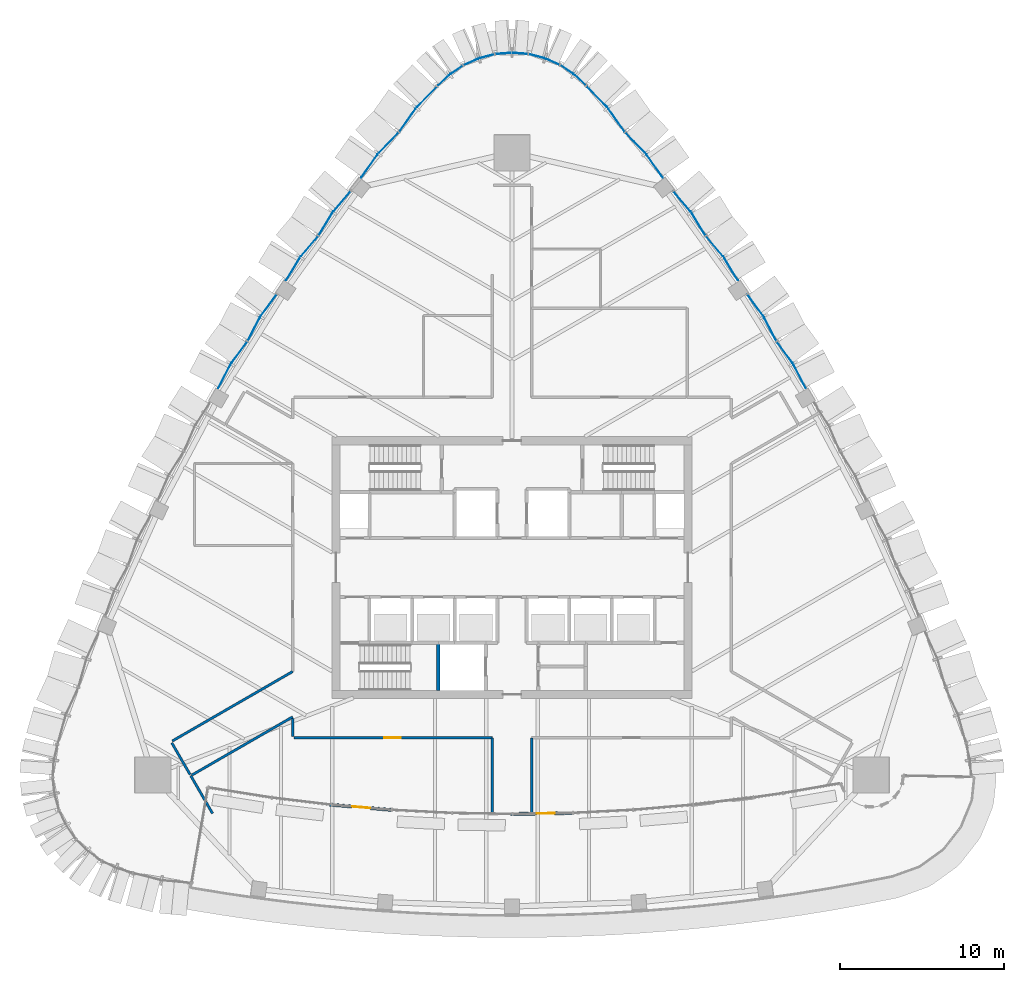
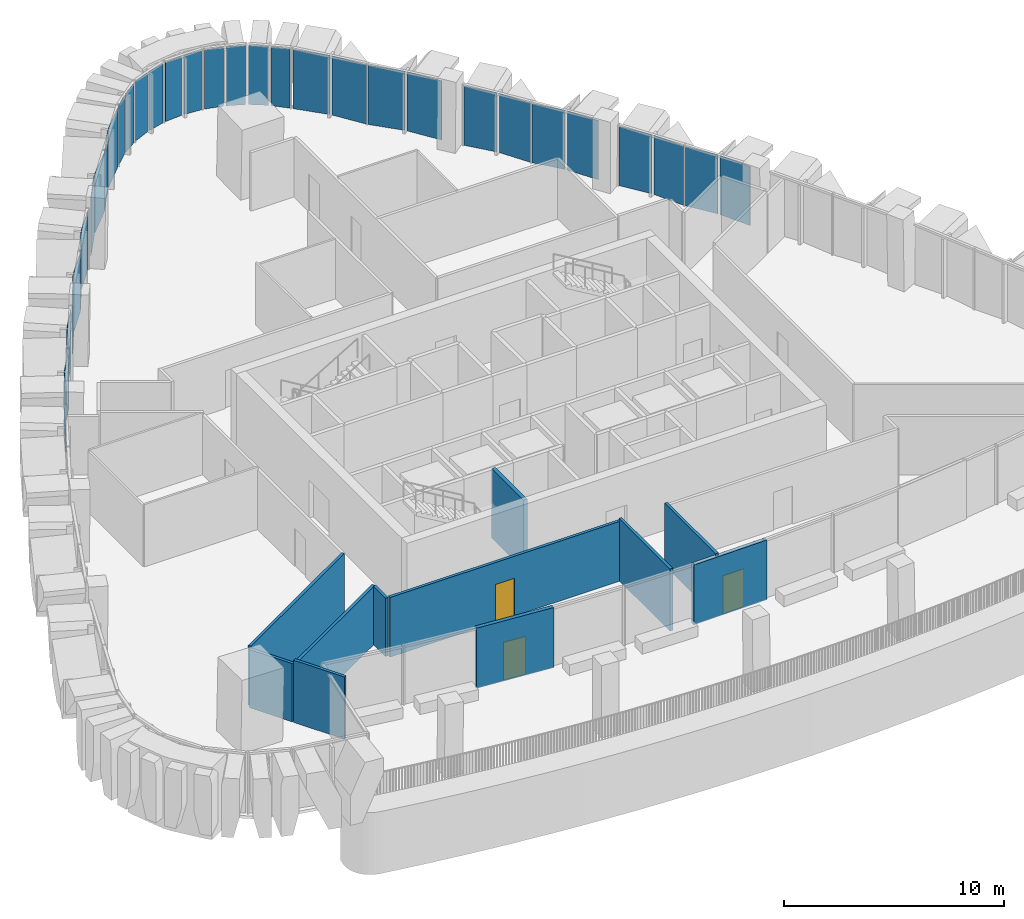
# One storey, part 12 of 22: 34 plates, 11 walls, 3 doors, 3 openings, 11 elements without a shape of their own.
"""IFC4 building model written with IfcOpenShell, lengths in metres."""

from ifc_helpers import new_model, si_unit, direction, frame, frame_2d, origin, place, context, subcontext, project, spatial, polyline, rectangle, outline, extrude, material, layer, layer_set, type_object, element, fill, aggregate, save


model = new_model("IFC4")

# Units and contexts
model_context = context("Model", 3, precision=1e-05, world=origin(), true_north=direction((0.0, 1.0)))
body_context = subcontext(model_context, "Body", "Model", "MODEL_VIEW")
ifc_project = project(units=[si_unit("LENGTHUNIT", "METRE"), si_unit("AREAUNIT", "SQUARE_METRE"), si_unit("VOLUMEUNIT", "CUBIC_METRE"), si_unit("PLANEANGLEUNIT", "RADIAN"), si_unit("MASSUNIT", "GRAM", prefix="KILO")], contexts=[model_context])

# Site, building, storey
site_placement = place(None, origin())
site = spatial("IfcSite", under=ifc_project, at=site_placement, CompositionType="ELEMENT")
building_placement = place(site_placement, origin())
building = spatial("IfcBuilding", under=site, at=building_placement, Name="Sierra Prisma Convention Tower", CompositionType="ELEMENT")
storey_placement = place(building_placement, frame((0.0, 0.0, 243.0)))
storey = spatial("IfcBuildingStorey", under=building, at=storey_placement, Name="L54", CompositionType="ELEMENT", Elevation=243.0)

# Curtain wall, plates
ifc_material_1 = material(Name="Aluminium and glass curtain wall", Category="aluminium")
ifc_layer_1 = layer(ifc_material_1, 0.179931640625)
ifc_layer_set_1 = layer_set([ifc_layer_1], Name="CW-2 Faceted crystal curtain wall")
curtain_wall_type = type_object("IfcCurtainWallType", Name="CW-2 Faceted crystal curtain wall", PredefinedType="NOTDEFINED", material=ifc_layer_set_1)
curtain_wall_1_placement = place(storey_placement, origin())
curtain_wall_1 = element("IfcCurtainWall", 1, at=curtain_wall_1_placement, inside=storey, type_object=curtain_wall_type, Name="CW-2 NE4 L54", PredefinedType="NOTDEFINED")
ifc_material_2 = material(Name="Tinted glass bronze-grey IGU", Category="glass")
ifc_layer_2 = layer(ifc_material_2, 0.028076171875)
ifc_layer_set_2 = layer_set([ifc_layer_2], Name="CW-2 crystal pane")
plate_type = type_object("IfcPlateType", Name="CW-2 crystal pane", PredefinedType="CURTAIN_PANEL", material=ifc_layer_set_2)
plate_1_placement = place(storey_placement, frame((17.95947265625, 10.968994140625, 0.0), z_axis=(0.887358586139, 0.461079970944, 0.0), x_axis=(-0.461079970944, 0.887358586139, 0.0)))
plate_1 = element("IfcPlate", 2, at=plate_1_placement, type_object=plate_type, Name="CW-2 pane NE4.1.1", PredefinedType="CURTAIN_PANEL", context=body_context, shape_type="SweptSolid", body=[
    extrude(outline(polyline([(0.0, 0.0), (1.6064949746847286, 0.0), (1.6064949746847286, 3.280029296875), (0.0, 3.280029296875), (0.0, 0.0)])), origin(), (0.0, 0.0, -1.0), 0.028076171875),
])
plate_2_placement = place(storey_placement, frame((16.19580078125, 13.796630859375, 0.0), z_axis=(0.804283518348, 0.594245759021, 0.0), x_axis=(0.594245759021, -0.804283518348, 0.0)))
plate_2 = element("IfcPlate", 3, at=plate_2_placement, type_object=plate_type, Name="CW-2 pane NE4.1.2", PredefinedType="CURTAIN_PANEL", context=body_context, shape_type="SweptSolid", body=[
    extrude(outline(polyline([(0.0, 0.0), (1.6063889884930378, 0.0), (1.6063889884930378, -3.280029296875), (0.0, -3.280029296875), (0.0, 0.0)])), origin(), (0.0, 0.0, -1.0), 0.028076171875),
])
plate_3_placement = place(storey_placement, frame((16.15869140625, 13.85595703125, 0.0), z_axis=(0.887358586139, 0.461079970944, 0.0), x_axis=(-0.461079970944, 0.887358586139, 0.0)))
plate_3 = element("IfcPlate", 4, at=plate_3_placement, type_object=plate_type, Name="CW-2 pane NE4.2.1", PredefinedType="CURTAIN_PANEL", context=body_context, shape_type="SweptSolid", body=[
    extrude(outline(polyline([(0.0, 0.0), (1.6064949746847286, 0.0), (1.6064949746847286, 3.280029296875), (0.0, 3.280029296875), (0.0, 0.0)])), origin(), (0.0, 0.0, -1.0), 0.028076171875),
])
plate_4_placement = place(storey_placement, frame((14.394775390625, 16.68359375, 0.0), z_axis=(0.804283518348, 0.594245759021, 0.0), x_axis=(0.594245759021, -0.804283518348, 0.0)))
plate_4 = element("IfcPlate", 5, at=plate_4_placement, type_object=plate_type, Name="CW-2 pane NE4.2.2", PredefinedType="CURTAIN_PANEL", context=body_context, shape_type="SweptSolid", body=[
    extrude(outline(polyline([(0.0, 0.0), (1.6063889884930378, 0.0), (1.6063889884930378, -3.280029296875), (0.0, -3.280029296875), (0.0, 0.0)])), origin(), (0.0, 0.0, -1.0), 0.028076171875),
])
aggregate(curtain_wall_1, [plate_1, plate_2, plate_3, plate_4])

curtain_wall_2_placement = place(storey_placement, origin())
curtain_wall_2 = element("IfcCurtainWall", 6, at=curtain_wall_2_placement, inside=storey, type_object=curtain_wall_type, Name="CW-2 NE5 L54", PredefinedType="NOTDEFINED")
plate_5_placement = place(storey_placement, frame((13.80859375, 17.556396484375, 0.0), z_axis=(0.853806109125, 0.520591133251, 0.0), x_axis=(-0.520591133251, 0.853806109125, 0.0)))
plate_5 = element("IfcPlate", 7, at=plate_5_placement, type_object=plate_type, Name="CW-2 pane NE5.1.1", PredefinedType="CURTAIN_PANEL", context=body_context, shape_type="SweptSolid", body=[
    extrude(outline(polyline([(0.0, 0.0), (1.5987121897887417, 0.0), (1.5987121897887417, 3.280029296875), (0.0, 3.280029296875), (0.0, 0.0)])), origin(), (0.0, 0.0, -1.0), 0.028076171875),
])
plate_6_placement = place(storey_placement, frame((11.86474609375, 20.24462890625, 0.0), z_axis=(0.761901643656, 0.647692739958, 0.0), x_axis=(0.647692739958, -0.761901643656, 0.0)))
plate_6 = element("IfcPlate", 8, at=plate_6_placement, type_object=plate_type, Name="CW-2 pane NE5.1.2", PredefinedType="CURTAIN_PANEL", context=body_context, shape_type="SweptSolid", body=[
    extrude(outline(polyline([(0.0, 0.0), (1.598975049986627, 0.0), (1.598975049986627, -3.280029296875001), (0.0, -3.280029296875001), (0.0, 0.0)])), origin(), (0.0, 0.0, -1.0), 0.028076171875),
])
plate_7_placement = place(storey_placement, frame((11.82373046875, 20.30126953125, 0.0), z_axis=(0.853847487971, 0.520523262964, 0.0), x_axis=(-0.520523262964, 0.853847487971, 0.0)))
plate_7 = element("IfcPlate", 9, at=plate_7_placement, type_object=plate_type, Name="CW-2 pane NE5.2.1", PredefinedType="CURTAIN_PANEL", context=body_context, shape_type="SweptSolid", body=[
    extrude(outline(polyline([(0.0, 0.0), (1.5989206435973105, 0.0), (1.5989206435973105, 3.280029296875), (0.0, 3.280029296875), (0.0, 0.0)])), origin(), (0.0, 0.0, -1.0), 0.028076171875),
])
plate_8_placement = place(storey_placement, frame((9.8798828125, 22.98974609375, 0.0), z_axis=(0.761901643656, 0.647692739958, 0.0), x_axis=(0.647692739958, -0.761901643656, 0.0)))
plate_8 = element("IfcPlate", 10, at=plate_8_placement, type_object=plate_type, Name="CW-2 pane NE5.2.2", PredefinedType="CURTAIN_PANEL", context=body_context, shape_type="SweptSolid", body=[
    extrude(outline(polyline([(0.0, 0.0), (1.598975049986627, 0.0), (1.598975049986627, -3.280029296875001), (0.0, -3.280029296875001), (0.0, 0.0)])), origin(), (0.0, 0.0, -1.0), 0.028076171875),
])
aggregate(curtain_wall_2, [plate_5, plate_6, plate_7, plate_8])

curtain_wall_3_placement = place(storey_placement, origin())
curtain_wall_3 = element("IfcCurtainWall", 11, at=curtain_wall_3_placement, inside=storey, type_object=curtain_wall_type, Name="CW-2 NE6 L54", PredefinedType="NOTDEFINED")
plate_9_placement = place(storey_placement, frame((9.2177734375, 23.844970703125, 0.0), z_axis=(0.81631131242, 0.577612189289, 0.0), x_axis=(-0.577612189289, 0.81631131242, 0.0)))
plate_9 = element("IfcPlate", 12, at=plate_9_placement, type_object=plate_type, Name="CW-2 pane NE6.1.1", PredefinedType="CURTAIN_PANEL", context=body_context, shape_type="SweptSolid", body=[
    extrude(outline(polyline([(0.0, 0.0), (1.7223892870066217, 0.0), (1.7223892870066217, 3.280029296875), (0.0, 3.280029296875), (0.0, 0.0)])), origin(), (0.0, 0.0, -1.0), 0.028076171875),
])
plate_10_placement = place(storey_placement, frame((6.9375, 26.58349609375, 0.0), z_axis=(0.715840702583, 0.698263623945, 0.0), x_axis=(0.698263623945, -0.715840702583, 0.0)))
plate_10 = element("IfcPlate", 13, at=plate_10_placement, type_object=plate_type, Name="CW-2 pane NE6.1.2", PredefinedType="CURTAIN_PANEL", context=body_context, shape_type="SweptSolid", body=[
    extrude(outline(polyline([(0.0, 0.0), (1.7223247459959945, 0.0), (1.7223247459959945, -3.280029296875), (0.0, -3.280029296875), (0.0, 0.0)])), origin(), (0.0, 0.0, -1.0), 0.028076171875),
])
plate_11_placement = place(storey_placement, frame((6.892822265625, 26.63720703125, 0.0), z_axis=(0.81631131242, 0.577612189289, 0.0), x_axis=(-0.577612189289, 0.81631131242, 0.0)))
plate_11 = element("IfcPlate", 14, at=plate_11_placement, type_object=plate_type, Name="CW-2 pane NE6.2.1", PredefinedType="CURTAIN_PANEL", context=body_context, shape_type="SweptSolid", body=[
    extrude(outline(polyline([(0.0, 0.0), (1.7223892870066217, 0.0), (1.7223892870066217, 3.280029296875), (0.0, 3.280029296875), (0.0, 0.0)])), origin(), (0.0, 0.0, -1.0), 0.028076171875),
])
plate_12_placement = place(storey_placement, frame((4.612548828125, 29.3759765625, 0.0), z_axis=(0.715909805717, 0.698192774295, 0.0), x_axis=(0.698192774295, -0.715909805717, 0.0)))
plate_12 = element("IfcPlate", 15, at=plate_12_placement, type_object=plate_type, Name="CW-2 pane NE6.2.2", PredefinedType="CURTAIN_PANEL", context=body_context, shape_type="SweptSolid", body=[
    extrude(outline(polyline([(0.0, 0.0), (1.7224995202283924, 0.0), (1.7224995202283924, -3.280029296875), (0.0, -3.280029296875), (0.0, 0.0)])), origin(), (0.0, 0.0, -1.0), 0.028076171875),
])
aggregate(curtain_wall_3, [plate_9, plate_10, plate_11, plate_12])

curtain_wall_4_placement = place(storey_placement, origin())
curtain_wall_4 = element("IfcCurtainWall", 16, at=curtain_wall_4_placement, inside=storey, type_object=curtain_wall_type, Name="CW-2 N1 L54", PredefinedType="NOTDEFINED")
plate_13_placement = place(storey_placement, frame((4.51318359375, 29.473388671875, 0.0), z_axis=(0.683241650701, 0.730192335448, 0.0), x_axis=(-0.730192335448, 0.683241650701, 0.0)))
plate_13 = element("IfcPlate", 17, at=plate_13_placement, type_object=plate_type, Name="CW-2 pane N1.1.1", PredefinedType="CURTAIN_PANEL", context=body_context, shape_type="SweptSolid", body=[
    extrude(outline(polyline([(0.0, 0.0), (0.8943892453683294, 0.0), (0.8943892453683294, 3.280029296875), (0.0, 3.280029296875), (0.0, 0.0)])), origin(), (0.0, 0.0, -1.0), 0.028076171875),
])
plate_14_placement = place(storey_placement, frame((3.0185546875, 30.6669921875, 0.0), z_axis=(0.560733450381, 0.827996375368, 0.0), x_axis=(0.827996375368, -0.560733450381, 0.0)))
plate_14 = element("IfcPlate", 18, at=plate_14_placement, type_object=plate_type, Name="CW-2 pane N1.1.2", PredefinedType="CURTAIN_PANEL", context=body_context, shape_type="SweptSolid", body=[
    extrude(outline(polyline([(0.0, 0.0), (0.8943016390566525, 0.0), (0.8943016390566525, -3.280029296875), (0.0, -3.280029296875), (0.0, 0.0)])), origin(), (0.0, 0.0, -1.0), 0.028076171875),
])
aggregate(curtain_wall_4, [plate_13, plate_14])

curtain_wall_5_placement = place(storey_placement, origin())
curtain_wall_5 = element("IfcCurtainWall", 19, at=curtain_wall_5_placement, inside=storey, type_object=curtain_wall_type, Name="CW-2 N2 L54", PredefinedType="NOTDEFINED")
plate_15_placement = place(storey_placement, frame((2.897705078125, 30.73388671875, 0.0), z_axis=(0.403452023555, 0.915000800376, 0.0), x_axis=(-0.915000800376, 0.403452023555, 0.0)))
plate_15 = element("IfcPlate", 20, at=plate_15_placement, type_object=plate_type, Name="CW-2 pane N2.1.1", PredefinedType="CURTAIN_PANEL", context=body_context, shape_type="SweptSolid", body=[
    extrude(outline(polyline([(0.0, 0.0), (0.8943810482607036, 0.0), (0.8943810482607036, 3.280029296875), (0.0, 3.280029296875), (0.0, 0.0)])), origin(), (0.0, 0.0, -1.0), 0.028076171875),
])
plate_16_placement = place(storey_placement, frame((1.092529296875, 31.3662109375, 0.0), z_axis=(0.255554845526, 0.966794559836, 0.0), x_axis=(0.966794559836, -0.255554845526, 0.0)))
plate_16 = element("IfcPlate", 21, at=plate_16_placement, type_object=plate_type, Name="CW-2 pane N2.1.2", PredefinedType="CURTAIN_PANEL", context=body_context, shape_type="SweptSolid", body=[
    extrude(outline(polyline([(0.0, 0.0), (0.8941940604958637, 0.0), (0.8941940604958637, -3.280029296875), (0.0, -3.280029296875), (0.0, 0.0)])), origin(), (0.0, 0.0, -1.0), 0.028076171875),
])
aggregate(curtain_wall_5, [plate_15, plate_16])

curtain_wall_6_placement = place(storey_placement, origin())
curtain_wall_6 = element("IfcCurtainWall", 22, at=curtain_wall_6_placement, inside=storey, type_object=curtain_wall_type, Name="CW-2 N3 L54", PredefinedType="NOTDEFINED")
plate_17_placement = place(storey_placement, frame((0.956298828125, 31.38916015625, 0.0), z_axis=(0.078616816426, 0.996904908291, 0.0), x_axis=(-0.996904908291, 0.078616816426, 0.0)))
plate_17 = element("IfcPlate", 23, at=plate_17_placement, type_object=plate_type, Name="CW-2 pane N3.1.1", PredefinedType="CURTAIN_PANEL", context=body_context, shape_type="SweptSolid", body=[
    extrude(outline(polyline([(0.0, 0.0), (0.8943697188012861, 0.0), (0.8943697188012861, 3.280029296875), (0.0, 3.280029296875), (0.0, 0.0)])), origin(), (0.0, 0.0, -1.0), 0.028076171875),
])
plate_18_placement = place(storey_placement, frame((-0.956298828125, 31.38916015625, 0.0), z_axis=(-0.078616816426, 0.996904908291, 0.0), x_axis=(0.996904908291, 0.078616816426, 0.0)))
plate_18 = element("IfcPlate", 24, at=plate_18_placement, type_object=plate_type, Name="CW-2 pane N3.1.2", PredefinedType="CURTAIN_PANEL", context=body_context, shape_type="SweptSolid", body=[
    extrude(outline(polyline([(0.0, 0.0), (0.8943697188012861, 0.0), (0.8943697188012861, -3.280029296875), (0.0, -3.280029296875), (0.0, 0.0)])), origin(), (0.0, 0.0, -1.0), 0.028076171875),
])
aggregate(curtain_wall_6, [plate_17, plate_18])

curtain_wall_7_placement = place(storey_placement, origin())
curtain_wall_7 = element("IfcCurtainWall", 25, at=curtain_wall_7_placement, inside=storey, type_object=curtain_wall_type, Name="CW-2 N4 L54", PredefinedType="NOTDEFINED")
plate_19_placement = place(storey_placement, frame((-1.092529296875, 31.3662109375, 0.0), z_axis=(-0.255554845526, 0.966794559836, 0.0), x_axis=(-0.966794559836, -0.255554845526, 0.0)))
plate_19 = element("IfcPlate", 26, at=plate_19_placement, type_object=plate_type, Name="CW-2 pane N4.1.1", PredefinedType="CURTAIN_PANEL", context=body_context, shape_type="SweptSolid", body=[
    extrude(outline(polyline([(0.0, 0.0), (0.8941940604958637, 0.0), (0.8941940604958637, 3.280029296875), (0.0, 3.280029296875), (0.0, 0.0)])), origin(), (0.0, 0.0, -1.0), 0.028076171875),
])
plate_20_placement = place(storey_placement, frame((-2.897705078125, 30.73388671875, 0.0), z_axis=(-0.403452023555, 0.915000800376, 0.0), x_axis=(0.915000800376, 0.403452023555, 0.0)))
plate_20 = element("IfcPlate", 27, at=plate_20_placement, type_object=plate_type, Name="CW-2 pane N4.1.2", PredefinedType="CURTAIN_PANEL", context=body_context, shape_type="SweptSolid", body=[
    extrude(outline(polyline([(0.0, 0.0), (0.8943810482607036, 0.0), (0.8943810482607036, -3.280029296875), (0.0, -3.280029296875), (0.0, 0.0)])), origin(), (0.0, 0.0, -1.0), 0.028076171875),
])
aggregate(curtain_wall_7, [plate_19, plate_20])

curtain_wall_8_placement = place(storey_placement, origin())
curtain_wall_8 = element("IfcCurtainWall", 28, at=curtain_wall_8_placement, inside=storey, type_object=curtain_wall_type, Name="CW-2 N5 L54", PredefinedType="NOTDEFINED")
plate_21_placement = place(storey_placement, frame((-3.0185546875, 30.6669921875, 0.0), z_axis=(-0.560733450381, 0.827996375368, 0.0), x_axis=(-0.827996375368, -0.560733450381, 0.0)))
plate_21 = element("IfcPlate", 29, at=plate_21_placement, type_object=plate_type, Name="CW-2 pane N5.1.1", PredefinedType="CURTAIN_PANEL", context=body_context, shape_type="SweptSolid", body=[
    extrude(outline(polyline([(0.0, 0.0), (0.8943016390566525, 0.0), (0.8943016390566525, 3.280029296875), (0.0, 3.280029296875), (0.0, 0.0)])), origin(), (0.0, 0.0, -1.0), 0.028076171875),
])
plate_22_placement = place(storey_placement, frame((-4.51318359375, 29.473388671875, 0.0), z_axis=(-0.683241650701, 0.730192335448, 0.0), x_axis=(0.730192335448, 0.683241650701, 0.0)))
plate_22 = element("IfcPlate", 30, at=plate_22_placement, type_object=plate_type, Name="CW-2 pane N5.1.2", PredefinedType="CURTAIN_PANEL", context=body_context, shape_type="SweptSolid", body=[
    extrude(outline(polyline([(0.0, 0.0), (0.8943892453683294, 0.0), (0.8943892453683294, -3.280029296875), (0.0, -3.280029296875), (0.0, 0.0)])), origin(), (0.0, 0.0, -1.0), 0.028076171875),
])
aggregate(curtain_wall_8, [plate_21, plate_22])

curtain_wall_9_placement = place(storey_placement, origin())
curtain_wall_9 = element("IfcCurtainWall", 31, at=curtain_wall_9_placement, inside=storey, type_object=curtain_wall_type, Name="CW-2 NW1 L54", PredefinedType="NOTDEFINED")
plate_23_placement = place(storey_placement, frame((-4.612548828125, 29.3759765625, 0.0), z_axis=(-0.715909805717, 0.698192774295, 0.0), x_axis=(-0.698192774295, -0.715909805717, 0.0)))
plate_23 = element("IfcPlate", 32, at=plate_23_placement, type_object=plate_type, Name="CW-2 pane NW1.1.1", PredefinedType="CURTAIN_PANEL", context=body_context, shape_type="SweptSolid", body=[
    extrude(outline(polyline([(0.0, 0.0), (1.7224995202283924, 0.0), (1.7224995202283924, 3.280029296875), (0.0, 3.280029296875), (0.0, 0.0)])), origin(), (0.0, 0.0, -1.0), 0.028076171875),
])
plate_24_placement = place(storey_placement, frame((-6.892822265625, 26.63720703125, 0.0), z_axis=(-0.81631131242, 0.577612189289, 0.0), x_axis=(0.577612189289, 0.81631131242, 0.0)))
plate_24 = element("IfcPlate", 33, at=plate_24_placement, type_object=plate_type, Name="CW-2 pane NW1.1.2", PredefinedType="CURTAIN_PANEL", context=body_context, shape_type="SweptSolid", body=[
    extrude(outline(polyline([(0.0, 0.0), (1.7223892870066217, 0.0), (1.7223892870066217, -3.280029296875), (0.0, -3.280029296875), (0.0, 0.0)])), origin(), (0.0, 0.0, -1.0), 0.028076171875),
])
plate_25_placement = place(storey_placement, frame((-6.9375, 26.58349609375, 0.0), z_axis=(-0.715840702583, 0.698263623945, 0.0), x_axis=(-0.698263623945, -0.715840702583, 0.0)))
plate_25 = element("IfcPlate", 34, at=plate_25_placement, type_object=plate_type, Name="CW-2 pane NW1.2.1", PredefinedType="CURTAIN_PANEL", context=body_context, shape_type="SweptSolid", body=[
    extrude(outline(polyline([(0.0, 0.0), (1.7223247459959945, 0.0), (1.7223247459959945, 3.280029296875), (0.0, 3.280029296875), (0.0, 0.0)])), origin(), (0.0, 0.0, -1.0), 0.028076171875),
])
plate_26_placement = place(storey_placement, frame((-9.2177734375, 23.844970703125, 0.0), z_axis=(-0.81631131242, 0.577612189289, 0.0), x_axis=(0.577612189289, 0.81631131242, 0.0)))
plate_26 = element("IfcPlate", 35, at=plate_26_placement, type_object=plate_type, Name="CW-2 pane NW1.2.2", PredefinedType="CURTAIN_PANEL", context=body_context, shape_type="SweptSolid", body=[
    extrude(outline(polyline([(0.0, 0.0), (1.7223892870066217, 0.0), (1.7223892870066217, -3.280029296875), (0.0, -3.280029296875), (0.0, 0.0)])), origin(), (0.0, 0.0, -1.0), 0.028076171875),
])
aggregate(curtain_wall_9, [plate_23, plate_24, plate_25, plate_26])

curtain_wall_10_placement = place(storey_placement, origin())
curtain_wall_10 = element("IfcCurtainWall", 36, at=curtain_wall_10_placement, inside=storey, type_object=curtain_wall_type, Name="CW-2 NW2 L54", PredefinedType="NOTDEFINED")
plate_27_placement = place(storey_placement, frame((-9.881103515625, 22.98828125, 0.0), z_axis=(-0.761924241938, 0.647666155938, 0.0), x_axis=(-0.647666155938, -0.761924241938, 0.0)))
plate_27 = element("IfcPlate", 37, at=plate_27_placement, type_object=plate_type, Name="CW-2 pane NW2.1.1", PredefinedType="CURTAIN_PANEL", context=body_context, shape_type="SweptSolid", body=[
    extrude(outline(polyline([(0.0, 0.0), (1.5982867724518741, 0.0), (1.5982867724518741, 3.280029296875), (0.0, 3.280029296875), (0.0, 0.0)])), origin(), (0.0, 0.0, -1.0), 0.028076171875),
])
plate_28_placement = place(storey_placement, frame((-11.82421875, 20.300537109375, 0.0), z_axis=(-0.853832604135, 0.520547677083, 0.0), x_axis=(0.520547677083, 0.853832604135, 0.0)))
plate_28 = element("IfcPlate", 38, at=plate_28_placement, type_object=plate_type, Name="CW-2 pane NW2.1.2", PredefinedType="CURTAIN_PANEL", context=body_context, shape_type="SweptSolid", body=[
    extrude(outline(polyline([(0.0, 0.0), (1.5983766456572261, 0.0), (1.5983766456572261, -3.280029296875), (0.0, -3.280029296875), (0.0, 0.0)])), origin(), (0.0, 0.0, -1.0), 0.028076171875),
])
plate_29_placement = place(storey_placement, frame((-11.865234375, 20.243896484375, 0.0), z_axis=(-0.761848865588, 0.647754819358, 0.0), x_axis=(-0.647754819358, -0.761848865588, 0.0)))
plate_29 = element("IfcPlate", 39, at=plate_29_placement, type_object=plate_type, Name="CW-2 pane NW2.2.1", PredefinedType="CURTAIN_PANEL", context=body_context, shape_type="SweptSolid", body=[
    extrude(outline(polyline([(0.0, 0.0), (1.598444904895683, 0.0), (1.598444904895683, 3.280029296875), (0.0, 3.280029296875), (0.0, 0.0)])), origin(), (0.0, 0.0, -1.0), 0.028076171875),
])
plate_30_placement = place(storey_placement, frame((-13.80859375, 17.556396484375, 0.0), z_axis=(-0.853832604135, 0.520547677083, 0.0), x_axis=(0.520547677083, 0.853832604135, 0.0)))
plate_30 = element("IfcPlate", 40, at=plate_30_placement, type_object=plate_type, Name="CW-2 pane NW2.2.2", PredefinedType="CURTAIN_PANEL", context=body_context, shape_type="SweptSolid", body=[
    extrude(outline(polyline([(0.0, 0.0), (1.5983766456572261, 0.0), (1.5983766456572261, -3.280029296875), (0.0, -3.280029296875), (0.0, 0.0)])), origin(), (0.0, 0.0, -1.0), 0.028076171875),
])
aggregate(curtain_wall_10, [plate_27, plate_28, plate_29, plate_30])

curtain_wall_11_placement = place(storey_placement, origin())
curtain_wall_11 = element("IfcCurtainWall", 41, at=curtain_wall_11_placement, inside=storey, type_object=curtain_wall_type, Name="CW-2 NW3 L54", PredefinedType="NOTDEFINED")
plate_31_placement = place(storey_placement, frame((-14.39501953125, 16.683349609375, 0.0), z_axis=(-0.804356157018, 0.594147433443, 0.0), x_axis=(-0.594147433443, -0.804356157018, 0.0)))
plate_31 = element("IfcPlate", 42, at=plate_31_placement, type_object=plate_type, Name="CW-2 pane NW3.1.1", PredefinedType="CURTAIN_PANEL", context=body_context, shape_type="SweptSolid", body=[
    extrude(outline(polyline([(0.0, 0.0), (1.6062439209641188, 0.0), (1.6062439209641188, 3.280029296875), (0.0, 3.280029296875), (0.0, 0.0)])), origin(), (0.0, 0.0, -1.0), 0.028076171875),
])
plate_32_placement = place(storey_placement, frame((-16.15869140625, 13.85595703125, 0.0), z_axis=(-0.88732627137, 0.461142156104, 0.0), x_axis=(0.461142156104, 0.88732627137, 0.0)))
plate_32 = element("IfcPlate", 43, at=plate_32_placement, type_object=plate_type, Name="CW-2 pane NW3.1.2", PredefinedType="CURTAIN_PANEL", context=body_context, shape_type="SweptSolid", body=[
    extrude(outline(polyline([(0.0, 0.0), (1.6062783383493173, 0.0), (1.6062783383493173, -3.280029296875), (0.0, -3.280029296875), (0.0, 0.0)])), origin(), (0.0, 0.0, -1.0), 0.028076171875),
])
plate_33_placement = place(storey_placement, frame((-16.19580078125, 13.79638671875, 0.0), z_axis=(-0.804283518348, 0.594245759021, 0.0), x_axis=(-0.594245759021, -0.804283518348, 0.0)))
plate_33 = element("IfcPlate", 44, at=plate_33_placement, type_object=plate_type, Name="CW-2 pane NW3.2.1", PredefinedType="CURTAIN_PANEL", context=body_context, shape_type="SweptSolid", body=[
    extrude(outline(polyline([(0.0, 0.0), (1.6063889884930378, 0.0), (1.6063889884930378, 3.280029296875), (0.0, 3.280029296875), (0.0, 0.0)])), origin(), (0.0, 0.0, -1.0), 0.028076171875),
])
plate_34_placement = place(storey_placement, frame((-17.95947265625, 10.968994140625, 0.0), z_axis=(-0.887420760332, 0.460960295613, 0.0), x_axis=(0.460960295613, 0.887420760332, 0.0)))
plate_34 = element("IfcPlate", 45, at=plate_34_placement, type_object=plate_type, Name="CW-2 pane NW3.2.2", PredefinedType="CURTAIN_PANEL", context=body_context, shape_type="SweptSolid", body=[
    extrude(outline(polyline([(0.0, 0.0), (1.6063824209407405, 0.0), (1.6063824209407405, -3.280029296875), (0.0, -3.280029296875), (0.0, 0.0)])), origin(), (0.0, 0.0, -1.0), 0.028076171875),
])
aggregate(curtain_wall_11, [plate_31, plate_32, plate_33, plate_34])

# Walls
ifc_material_3 = material(Name="Concrete C30/37", Category="concrete")
ifc_layer_3 = layer(ifc_material_3, 0.199951171875)
ifc_layer_set_3 = layer_set([ifc_layer_3], Name="Core wall RC 200 C30/37")
wall_type_1 = type_object("IfcWallType", Name="Core wall RC 200 C30/37", PredefinedType="SOLIDWALL", material=ifc_layer_set_3)
wall_1_placement = place(storey_placement, frame((-4.5, -4.60009765625, 0.0), z_axis=(0.0, 0.0, 1.0), x_axis=(0.0, -1.0, 0.0)))
element("IfcWall", 46, at=wall_1_placement, inside=storey, type_object=wall_type_1, Name="Core wall L54 14", PredefinedType="SOLIDWALL", context=body_context, shape_type="SweptSolid", body=[
    extrude(rectangle(XDim=2.89990234375, YDim=0.199951171875, at=frame_2d((1.449951171875, 0.0))), origin(), (0.0, 0.0, 1.0), 3.85009765625),
])
ifc_material_4 = material(Name="Gypsum board partition", Category="gypsum")
ifc_layer_4 = layer(ifc_material_4, 0.14990234375)
ifc_layer_set_4 = layer_set([ifc_layer_4], Name="Corridor wall 150 gypsum EI 60")
wall_type_2 = type_object("IfcWallType", Name="Corridor wall 150 gypsum EI 60", PredefinedType="PARTITIONING", material=ifc_layer_set_4)
wall_2_placement = place(storey_placement, frame((-20.78564453125, -10.707275390625, 0.0), z_axis=(0.0, 0.0, 1.0), x_axis=(0.500030632641, -0.866007717299, 0.0)))
element("IfcWall", 47, at=wall_2_placement, inside=storey, type_object=wall_type_2, Name="Partition L54 corr 1", PredefinedType="PARTITIONING", context=body_context, shape_type="SweptSolid", body=[
    extrude(rectangle(XDim=2.239990234375, YDim=0.14990234375, at=frame_2d((1.1201171875, 0.0))), origin(), (0.0, 0.0, 1.0), 3.23291015625),
])
wall_3_placement = place(storey_placement, frame((-13.39990234375, -6.350830078125, 0.0), z_axis=(0.0, 0.0, 1.0), x_axis=(-0.866034343295, -0.499984515995, 0.0)))
element("IfcWall", 48, at=wall_3_placement, inside=storey, type_object=wall_type_2, Name="Partition L54 corr 4", PredefinedType="PARTITIONING", context=body_context, shape_type="SweptSolid", body=[
    extrude(rectangle(XDim=8.494384765625, YDim=0.14990234375, at=frame_2d((4.2470703125, 0.0))), origin(), (0.0, 0.0, 1.0), 3.31689453125),
])
wall_4_placement = place(storey_placement, frame((-19.556396484375, -12.676513671875, 0.0), z_axis=(0.0, 0.0, 1.0), x_axis=(0.866026024469, 0.499998924941, 0.0)))
element("IfcWall", 49, at=wall_4_placement, inside=storey, type_object=wall_type_2, Name="Partition L54 corr 5", PredefinedType="PARTITIONING", context=body_context, shape_type="SweptSolid", body=[
    extrude(rectangle(XDim=7.10888671875, YDim=0.14990234375, at=frame_2d((3.554443359375, 0.0))), origin(), (0.0, 0.0, 1.0), 3.23291015625),
])
wall_5_placement = place(storey_placement, frame((-13.39990234375, -9.213623046875, 0.0), z_axis=(0.0, 0.0, 1.0), x_axis=(0.0, -1.0, 0.0)))
element("IfcWall", 50, at=wall_5_placement, inside=storey, type_object=wall_type_2, Name="Partition L54 corr 6", PredefinedType="PARTITIONING", context=body_context, shape_type="SweptSolid", body=[
    extrude(rectangle(XDim=1.1064453125, YDim=0.14990234375, at=frame_2d((0.55322265625, 0.0))), origin(), (0.0, 0.0, 1.0), 3.23291015625),
])

# Wall, opening, door
wall_6_placement = place(storey_placement, frame((-13.320068359375, -10.39990234375, 0.0), z_axis=(0.0, 0.0, 1.0), x_axis=(1.0, 0.0, 0.0)))
wall_6 = element("IfcWall", 51, at=wall_6_placement, inside=storey, type_object=wall_type_2, Name="Partition L54 corr 10", PredefinedType="PARTITIONING", context=body_context, shape_type="SweptSolid", body=[
    extrude(rectangle(XDim=12.1201171875, YDim=0.14990234375, at=frame_2d((6.06005859375, 0.0))), origin(), (0.0, 0.0, 1.0), 3.31689453125),
])
opening_1_placement = place(wall_6_placement, frame((5.52001953125, 0.0, 0.0)))
opening_1 = element("IfcOpeningElement", 52, at=opening_1_placement, cuts=wall_6, Name="Opening L54-D035", PredefinedType="OPENING", context=body_context, shape_type="SweptSolid", body=[
    extrude(rectangle(XDim=1.0, YDim=2.10009765625, at=frame_2d((0.5, 1.050048828125))), frame((0.0, 0.074951171875, 0.0), z_axis=(0.0, -1.0, 0.0), x_axis=(1.0, 0.0, 0.0)), (0.0, 0.0, 1.0), 0.14990234375),
])
ifc_material_5 = material(Name="Steel fire door leaf", Category="steel")
door_type_1 = type_object("IfcDoorType", Name="Door 1000x2100 FD30S", OperationType="SINGLE_SWING_LEFT", PredefinedType="DOOR", material=ifc_material_5)
door_1_placement = place(opening_1_placement, origin())
door_1 = element("IfcDoor", 53, at=door_1_placement, inside=storey, type_object=door_type_1, Name="Door L54 8", OperationType="SINGLE_SWING_LEFT", OverallHeight=2.10009765625, OverallWidth=1.0, PredefinedType="DOOR", context=body_context, shape_type="SweptSolid", body=[
    extrude(rectangle(XDim=1.0, YDim=2.10009765625, at=frame_2d((0.5, 1.050048828125))), frame((0.0, 0.02490234375, 0.0), z_axis=(0.0, -1.0, 0.0), x_axis=(1.0, 0.0, 0.0)), (0.0, 0.0, 1.0), 0.050048828125),
])
fill(opening_1, door_1)

# Walls
for number, where, z_axis, x_axis, name in (
    (54, (-1.199951171875, -10.39990234375, 0.0), (0.0, 0.0, 1.0), (0.0, -1.0, 0.0), "Partition L54 corr 11"),
    (55, (1.199951171875, -15.045166015625, 0.0), (0.0, 0.0, 1.0), (0.0, 1.0, 0.0), "Partition L54 corr 15"),
):
    element("IfcWall", number, at=place(storey_placement, frame(where, z_axis=z_axis, x_axis=x_axis)), inside=storey, type_object=wall_type_2, Name=name, PredefinedType="PARTITIONING", context=body_context, shape_type="SweptSolid", body=[
        extrude(rectangle(XDim=4.645263671875, YDim=0.14990234375, at=frame_2d((2.32275390625, 0.0))), origin(), (0.0, 0.0, 1.0), 3.449951171875),
    ])
ifc_material_6 = material(Name="Gypsum board partition", Category="gypsum")
ifc_layer_5 = layer(ifc_material_6, 0.14990234375)
ifc_layer_set_5 = layer_set([ifc_layer_5], Name="Party wall 150 gypsum")
wall_type_3 = type_object("IfcWallType", Name="Party wall 150 gypsum", PredefinedType="PARTITIONING", material=ifc_layer_set_5)
wall_7_placement = place(storey_placement, frame((-19.62548828125, -12.716552734375, 0.0), z_axis=(0.0, 0.0, 1.0), x_axis=(0.500002746266, -0.866023818221, 0.0)))
element("IfcWall", 56, at=wall_7_placement, inside=storey, type_object=wall_type_3, Name="Partition L54 party 1", PredefinedType="PARTITIONING", context=body_context, shape_type="SweptSolid", body=[
    extrude(rectangle(XDim=2.6640625, YDim=0.14990234375, at=frame_2d((1.33203125, 0.0))), origin(), (0.0, 0.0, 1.0), 3.449951171875),
])

# Wall, opening, door
ifc_material_7 = material(Name="Precast concrete C40/50", Category="concrete")
ifc_layer_6 = layer(ifc_material_7, 0.199951171875)
ifc_layer_set_6 = layer_set([ifc_layer_6], Name="Terrace door pier")
wall_type_4 = type_object("IfcWallType", Name="Terrace door pier", PredefinedType="SOLIDWALL", material=ifc_layer_set_6)
wall_8_placement = place(storey_placement, frame((-11.138671875, -14.4814453125, 0.0), z_axis=(0.0, 0.0, 1.0), x_axis=(0.996360135405, -0.085243654166, 0.0)))
wall_8 = element("IfcWall", 57, at=wall_8_placement, inside=storey, type_object=wall_type_4, Name="Terrace door bay L54.3", PredefinedType="SOLIDWALL", context=body_context, shape_type="SweptSolid", body=[
    extrude(rectangle(XDim=3.869384765625, YDim=0.199951171875, at=frame_2d((1.9345703125, 0.0))), origin(), (0.0, 0.0, 1.0), 3.340087890625),
])
opening_2_placement = place(wall_8_placement, frame((1.384521484375, 0.0, 0.0)))
opening_2 = element("IfcOpeningElement", 58, at=opening_2_placement, cuts=wall_8, Name="Opening L54-D001", PredefinedType="OPENING", context=body_context, shape_type="SweptSolid", body=[
    extrude(rectangle(XDim=1.10009765625, YDim=2.10009765625, at=frame_2d((0.550048828125, 1.050048828125))), frame((0.0, 0.10009765625, 0.0), z_axis=(0.0, -1.0, 0.0), x_axis=(1.0, 0.0, 0.0)), (0.0, 0.0, 1.0), 0.199951171875),
])
ifc_material_8 = material(Name="Bronze anodised aluminium and glass", Category="aluminium")
door_type_2 = type_object("IfcDoorType", Name="Terrace door 1100 x 2100", OperationType="SINGLE_SWING_LEFT", PredefinedType="DOOR", material=ifc_material_8)
door_2_placement = place(opening_2_placement, origin())
door_2 = element("IfcDoor", 59, at=door_2_placement, inside=storey, type_object=door_type_2, Name="Terrace door L54.3", OperationType="SINGLE_SWING_RIGHT", OverallHeight=2.10009765625, OverallWidth=1.10009765625, PredefinedType="DOOR", context=body_context, shape_type="SweptSolid", body=[
    extrude(rectangle(XDim=1.10009765625, YDim=2.10009765625, at=frame_2d((0.550048828125, 1.050048828125))), frame((0.0, 0.02490234375, 0.0), z_axis=(0.0, -1.0, 0.0), x_axis=(1.0, 0.0, 0.0)), (0.0, 0.0, 1.0), 0.050048828125),
])
fill(opening_2, door_2)

wall_9_placement = place(storey_placement, frame((-0.090087890625, -15.05712890625, 0.0), z_axis=(0.0, 0.0, 1.0), x_axis=(0.999853809474, 0.017098528577, 0.0)))
wall_9 = element("IfcWall", 60, at=wall_9_placement, inside=storey, type_object=wall_type_4, Name="Terrace door bay L54.6", PredefinedType="SOLIDWALL", context=body_context, shape_type="SweptSolid", body=[
    extrude(rectangle(XDim=3.869384765625, YDim=0.199951171875, at=frame_2d((1.9345703125, 0.0))), origin(), (0.0, 0.0, 1.0), 3.31689453125),
])
opening_3_placement = place(wall_9_placement, frame((1.594970703125, 0.0, 0.0)))
opening_3 = element("IfcOpeningElement", 61, at=opening_3_placement, cuts=wall_9, Name="Opening L54-D002", PredefinedType="OPENING", context=body_context, shape_type="SweptSolid", body=[
    extrude(rectangle(XDim=1.10009765625, YDim=2.10009765625, at=frame_2d((0.550048828125, 1.050048828125))), frame((0.0, 0.10009765625, 0.0), z_axis=(0.0, -1.0, 0.0), x_axis=(1.0, 0.0, 0.0)), (0.0, 0.0, 1.0), 0.199951171875),
])
door_3_placement = place(opening_3_placement, origin())
door_3 = element("IfcDoor", 62, at=door_3_placement, inside=storey, type_object=door_type_2, Name="Terrace door L54.6", OperationType="SINGLE_SWING_LEFT", OverallHeight=2.10009765625, OverallWidth=1.10009765625, PredefinedType="DOOR", context=body_context, shape_type="SweptSolid", body=[
    extrude(rectangle(XDim=1.10009765625, YDim=2.10009765625, at=frame_2d((0.550048828125, 1.050048828125))), frame((0.0, 0.02490234375, 0.0), z_axis=(0.0, -1.0, 0.0), x_axis=(1.0, 0.0, 0.0)), (0.0, 0.0, 1.0), 0.050048828125),
])
fill(opening_3, door_3)

save(model, "model.ifc")
